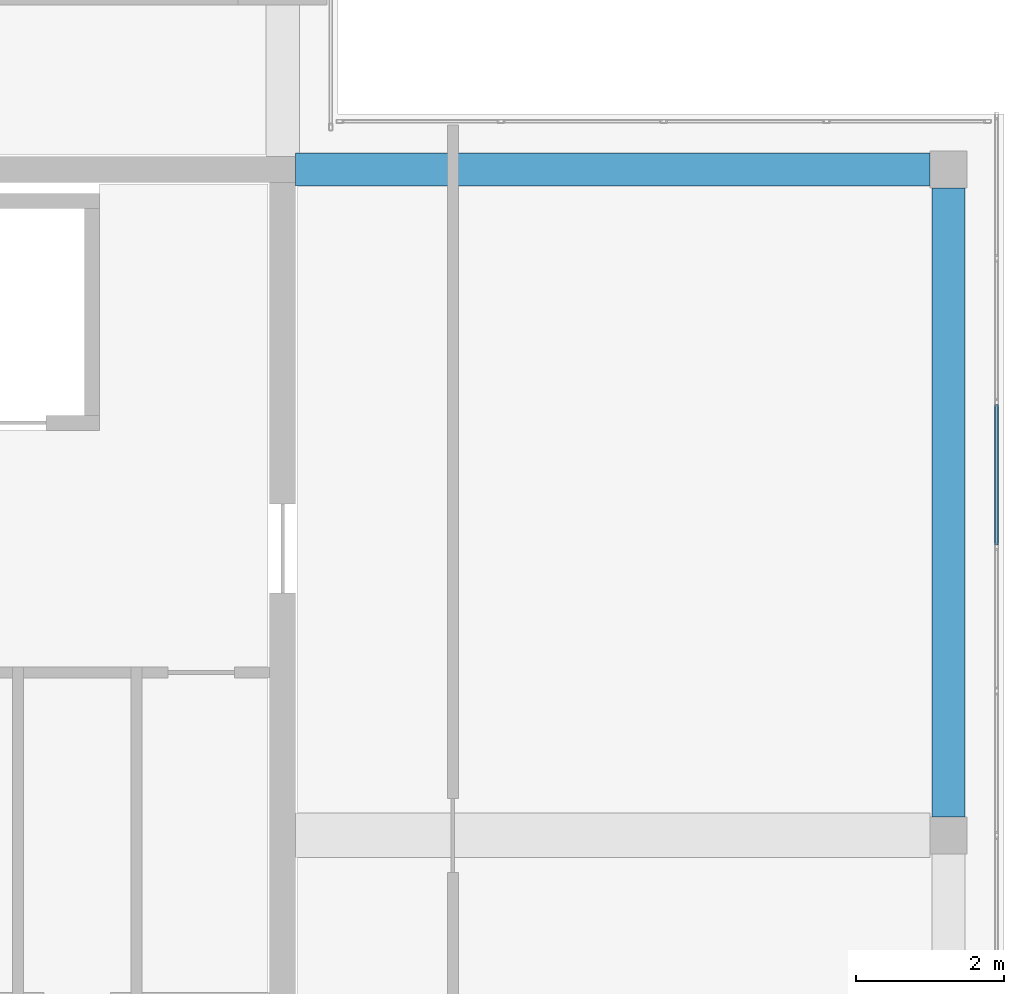
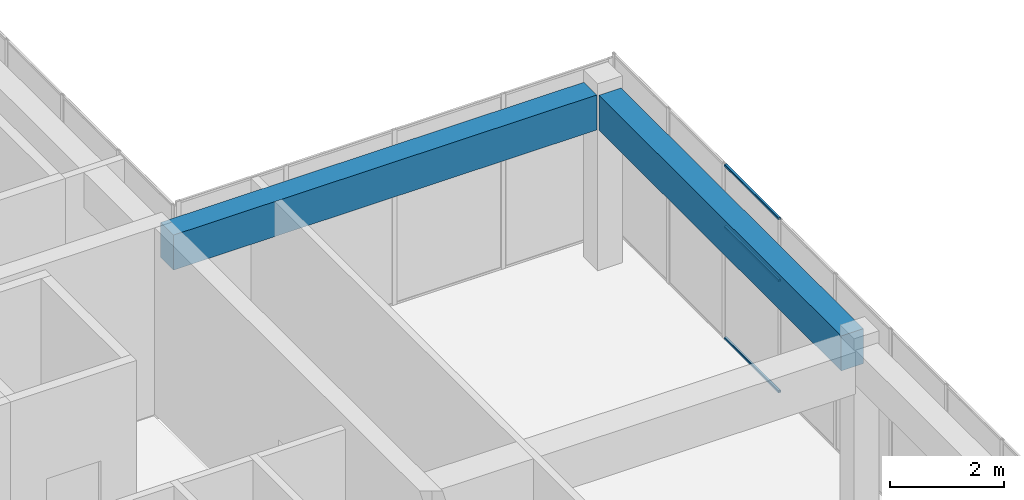
# One storey, part 17 of 34: 3 members, 2 beams, 1 element without a shape of its own.
"""IFC4 building model written with IfcOpenShell, lengths in metres."""

import ifcopenshell
import ifcopenshell.guid

model = None  # the IFC model being written
_history = None  # IfcOwnerHistory: only IFC2X3 demands one
_inside = {}  # id of a spatial element -> (the spatial element, [elements in it])
_under = {}  # id of a project, library or spatial element -> (it, [spatial elements below it])
_declared = {}  # id of a project -> (the project, [libraries it declares])
_typed = {}  # id of a type object -> (the type object, [elements of that type])
_made_of = {}  # id of a material, layer set ... -> (it, [elements and type objects made of it])


def new_model(schema):
    """Start an empty IFC model of exactly this schema.

    Asked for "IFC4X3", IfcOpenShell would pick the latest addendum, in which some entities
    have other attributes; the version numbers below select the first issue.
    IFC2X3 requires an IfcOwnerHistory on every rooted entity: one is made here for all.
    """
    global model, _history
    if schema == "IFC4X3":
        model = ifcopenshell.file(schema_version=(4, 3, 0, 0))
    else:
        model = ifcopenshell.file(schema=schema)
    _inside.clear()
    _under.clear()
    _declared.clear()
    _typed.clear()
    _made_of.clear()
    _history = None
    if model.schema == "IFC2X3":
        org = make("IfcOrganization", Name="unknown")
        user = make(
            "IfcPersonAndOrganization",
            ThePerson=make("IfcPerson", FamilyName="unknown"),
            TheOrganization=org,
        )
        app = make(
            "IfcApplication",
            ApplicationDeveloper=org,
            Version="unknown",
            ApplicationFullName="unknown",
            ApplicationIdentifier="unknown",
        )
        _history = make(
            "IfcOwnerHistory",
            OwningUser=user,
            OwningApplication=app,
            ChangeAction="ADDED",
            CreationDate=0,
        )
    return model


def make(cls, **values):
    """One entity of the class cls with the attributes given. An attribute that is None is left unset."""
    return model.create_entity(
        cls, **{name: value for name, value in values.items() if value is not None}
    )


def rooted(cls, **values):
    """An entity with a GlobalId (a new one), such as an element, a storey or a relation."""
    return make(cls, GlobalId=ifcopenshell.guid.new(), OwnerHistory=_history, **values)


def si_unit(unit_type, name, prefix=None):
    """IfcSIUnit, for example si_unit("LENGTHUNIT", "METRE", prefix="MILLI")."""
    return make("IfcSIUnit", UnitType=unit_type, Prefix=prefix, Name=name)


def assignment(units):
    """IfcUnitAssignment: the units of a project."""
    return None if units is None else make("IfcUnitAssignment", Units=units)


def point(xyz):
    """IfcCartesianPoint."""
    return None if xyz is None else make("IfcCartesianPoint", Coordinates=xyz)


def direction(xyz):
    """IfcDirection."""
    return None if xyz is None else make("IfcDirection", DirectionRatios=xyz)


def frame(location, z_axis=None, x_axis=None):
    """IfcAxis2Placement3D, a coordinate frame: its origin and axes. An axis left out is left unset."""
    return make(
        "IfcAxis2Placement3D",
        Location=point(location),
        Axis=direction(z_axis),
        RefDirection=direction(x_axis),
    )


def frame_2d(location, x_axis=None):
    """IfcAxis2Placement2D, a coordinate frame in the plane: its origin and x axis."""
    return make(
        "IfcAxis2Placement2D", Location=point(location), RefDirection=direction(x_axis)
    )


def origin():
    """The frame at (0, 0, 0) with its axes left unset."""
    return frame((0.0, 0.0, 0.0))


def origin_2d():
    """The frame at (0, 0) in the plane with its x axis left unset."""
    return frame_2d((0.0, 0.0))


def place(relative_to, where):
    """IfcLocalPlacement: puts the frame where relative to a parent placement (None: the world)."""
    return make(
        "IfcLocalPlacement", PlacementRelTo=relative_to, RelativePlacement=where
    )


def context(
    kind, dimensions, precision=None, world=None, true_north=None, identifier=None
):
    """IfcGeometricRepresentationContext, for example the 3D "Model" context."""
    return make(
        "IfcGeometricRepresentationContext",
        ContextIdentifier=identifier,
        ContextType=kind,
        CoordinateSpaceDimension=dimensions,
        Precision=precision,
        WorldCoordinateSystem=world,
        TrueNorth=true_north,
    )


def subcontext(parent, identifier, kind, view, scale=None):
    """IfcGeometricRepresentationSubContext, for example "Body" below "Model"."""
    return make(
        "IfcGeometricRepresentationSubContext",
        ContextIdentifier=identifier,
        ContextType=kind,
        ParentContext=parent,
        TargetScale=scale,
        TargetView=view,
    )


def project(units=None, contexts=None):
    """IfcProject with its units and contexts."""
    return rooted(
        "IfcProject",
        Name="project",
        RepresentationContexts=contexts,
        UnitsInContext=assignment(units),
    )


def spatial(cls, under=None, at=None, **own):
    """A site, building, storey or space (cls), placed at a placement, below another one or the project."""
    s = rooted(cls, ObjectPlacement=at, **own)
    if under is not None:
        _under.setdefault(under.id(), (under, []))[1].append(s)
    return s


def profile(cls, at=None, kind="AREA", **sizes):
    """A parametric profile (cls). Its sizes go by their IFC names, for example OverallWidth=200.0."""
    return make(cls, ProfileType=kind, Position=at, **sizes)


def rectangle(**sizes):
    """IfcRectangleProfileDef."""
    return profile("IfcRectangleProfileDef", **sizes)


def hollow_rectangle(**sizes):
    """IfcRectangleHollowProfileDef."""
    return profile("IfcRectangleHollowProfileDef", **sizes)


def extrude(swept, where, along, depth):
    """IfcExtrudedAreaSolid: the profile swept, set in the frame where, extruded along a direction by depth."""
    return make(
        "IfcExtrudedAreaSolid",
        SweptArea=swept,
        Position=where,
        ExtrudedDirection=direction(along),
        Depth=depth,
    )


def shape(context_of_items, identifier, shape_type, items):
    """IfcShapeRepresentation: the items that make up one representation, for example the "Body"."""
    return make(
        "IfcShapeRepresentation",
        ContextOfItems=context_of_items,
        RepresentationIdentifier=identifier,
        RepresentationType=shape_type,
        Items=items,
    )


def material(Name=None, Category=None):
    """IfcMaterial."""
    return make("IfcMaterial", Name=Name, Category=Category)


def layer(
    of_material, thickness, ventilated=None, Name=None, Category=None, Priority=None
):
    """IfcMaterialLayer: one layer of a wall or slab, of a material (None: an air gap)."""
    return make(
        "IfcMaterialLayer",
        Material=of_material,
        LayerThickness=thickness,
        IsVentilated=ventilated,
        Name=Name,
        Category=Category,
        Priority=Priority,
    )


def layer_set(layers, Name=None):
    """IfcMaterialLayerSet."""
    return make("IfcMaterialLayerSet", MaterialLayers=layers, LayerSetName=Name)


def material_profile(
    of_material, cross_section, Name=None, Category=None, Priority=None
):
    """IfcMaterialProfile: a cross section and its material."""
    return make(
        "IfcMaterialProfile",
        Name=Name,
        Material=of_material,
        Profile=cross_section,
        Priority=Priority,
        Category=Category,
    )


def profile_set(profiles, Name=None, composite=None):
    """IfcMaterialProfileSet."""
    return make(
        "IfcMaterialProfileSet",
        Name=Name,
        MaterialProfiles=profiles,
        CompositeProfile=composite,
    )


def made_of(thing, what):
    """Note that an element or type object is made of a material, layer set ...; save() writes the relation."""
    if what is not None:
        _made_of.setdefault(what.id(), (what, []))[1].append(thing)
    return thing


def type_object(cls, material=None, **own):
    """A type object (cls), such as IfcWallType, which elements share."""
    return made_of(rooted(cls, **own), material)


def element(
    cls,
    number,
    at=None,
    inside=None,
    cuts=None,
    type_object=None,
    material=None,
    context=None,
    identifier="Body",
    shape_type=None,
    held_by="IfcProductDefinitionShape",
    body=None,
    shapes=None,
    **own,
):
    """One element of the class cls, such as IfcWall. Its Tag is "e" and its number.

    at: its placement. inside: the storey or other place that contains it. cuts: it is an
    opening in that element (IfcRelVoidsElement). A single representation is given by context,
    identifier, shape_type and body (its items); several are given by shapes. held_by: the class
    of the entity that holds the representations. save() writes the other relations.
    """
    e = rooted(cls, Tag="e%d" % number, ObjectPlacement=at, **own)
    if body is not None:
        shapes = [shape(context, identifier, shape_type, body)]
    if shapes is not None:
        e.Representation = make(held_by, Representations=shapes)
    if inside is not None:
        _inside.setdefault(inside.id(), (inside, []))[1].append(e)
    if cuts is not None:
        rooted(
            "IfcRelVoidsElement", RelatingBuildingElement=cuts, RelatedOpeningElement=e
        )
    if type_object is not None:
        _typed.setdefault(type_object.id(), (type_object, []))[1].append(e)
    return made_of(e, material)


def aggregate(whole, parts):
    """IfcRelAggregates: a whole, such as a stair, and the parts it consists of."""
    return rooted("IfcRelAggregates", RelatingObject=whole, RelatedObjects=parts)


def save(model, path):
    """Write the relations noted so far, then the file.

    IfcRelAggregates (storeys below a building ...), IfcRelContainedInSpatialStructure (elements
    in a storey), IfcRelDefinesByType, IfcRelAssociatesMaterial and IfcRelDeclares: one each for
    every whole, place, type object, material and project.
    """
    for whole, parts in _under.values():
        aggregate(whole, parts)
    for where, things in _inside.values():
        rooted(
            "IfcRelContainedInSpatialStructure",
            RelatedElements=things,
            RelatingStructure=where,
        )
    for kind, things in _typed.values():
        rooted("IfcRelDefinesByType", RelatedObjects=things, RelatingType=kind)
    for what, things in _made_of.values():
        rooted("IfcRelAssociatesMaterial", RelatedObjects=things, RelatingMaterial=what)
    for by, libraries in _declared.values():
        rooted("IfcRelDeclares", RelatingContext=by, RelatedDefinitions=libraries)
    model.write(path)


model = new_model("IFC4")

# Units and contexts
model_context = context("Model", 3, precision=1e-05, world=origin(), true_north=direction((0.0, 1.0)))
body_context = subcontext(model_context, "Body", "Model", "MODEL_VIEW")
ifc_project = project(units=[si_unit("LENGTHUNIT", "METRE"), si_unit("AREAUNIT", "SQUARE_METRE"), si_unit("VOLUMEUNIT", "CUBIC_METRE"), si_unit("PLANEANGLEUNIT", "RADIAN"), si_unit("MASSUNIT", "GRAM", prefix="KILO")], contexts=[model_context])

# Site, building, storey
site_placement = place(None, origin())
site = spatial("IfcSite", under=ifc_project, at=site_placement, CompositionType="ELEMENT")
building_placement = place(site_placement, origin())
building = spatial("IfcBuilding", under=site, at=building_placement, Name="Tuart Plaza Theatre", CompositionType="ELEMENT")
storey_placement = place(building_placement, frame((0.0, 0.0, 53.5)))
storey = spatial("IfcBuildingStorey", under=building, at=storey_placement, Name="L13", CompositionType="ELEMENT", Elevation=53.5)

# Beams
ifc_material_1 = material(Name="Concrete N40 (40 MPa)", Category="concrete")
ifc_material_profile_1 = material_profile(ifc_material_1, rectangle(XDim=0.449951171875, YDim=0.75, at=origin_2d()), Name="BEAM 450x750 Concrete N40 (40 MPa)")
ifc_profile_set_1 = profile_set([ifc_material_profile_1], Name="Concrete N40 (40 MPa)")
beam_type = type_object("IfcBeamType", Name="BEAM 450x750 Concrete N40 (40 MPa)", PredefinedType="BEAM", material=ifc_profile_set_1)
beam_1_placement = place(storey_placement, frame((141.175048828125, 83.0, 3.375), z_axis=(1.0, 0.0, 0.0), x_axis=(0.0, 1.0, 0.0)))
element("IfcBeam", 1, at=beam_1_placement, inside=storey, type_object=beam_type, Name="RB344", PredefinedType="BEAM", context=body_context, shape_type="SweptSolid", body=[
    extrude(rectangle(XDim=0.449951171875, YDim=0.75, at=origin_2d()), origin(), (0.0, 0.0, 1.0), 8.574951171875),
])
beam_2_placement = place(storey_placement, frame((150.0, 74.25, 3.375), z_axis=(0.0, 1.0, 0.0), x_axis=(-1.0, 0.0, 0.0)))
element("IfcBeam", 2, at=beam_2_placement, inside=storey, type_object=beam_type, Name="RB346", PredefinedType="BEAM", context=body_context, shape_type="SweptSolid", body=[
    extrude(rectangle(XDim=0.449951171875, YDim=0.75, at=origin_2d()), origin(), (0.0, 0.0, 1.0), 8.5),
])

# Curtain wall, members
ifc_material_2 = material(Name="Aluminium and glass", Category="aluminium")
ifc_layer = layer(ifc_material_2, 0.10009765625)
ifc_layer_set = layer_set([ifc_layer], Name="CURTAIN WALL 2000 module")
curtain_wall_type = type_object("IfcCurtainWallType", Name="CURTAIN WALL 2000 module", PredefinedType="NOTDEFINED", material=ifc_layer_set)
curtain_wall_placement = place(storey_placement, origin())
curtain_wall = element("IfcCurtainWall", 3, at=curtain_wall_placement, inside=storey, type_object=curtain_wall_type, Name="CW114", PredefinedType="NOTDEFINED")
ifc_material_3 = material(Name="Aluminium 6063-T5", Category="aluminium")
ifc_material_profile_2 = material_profile(ifc_material_3, hollow_rectangle(XDim=0.050048828125, YDim=0.050048828125, WallThickness=0.00390625, InnerFilletRadius=0.00390625, OuterFilletRadius=0.008056640625, at=origin_2d()), Name="RHS 50x50x4")
ifc_profile_set_2 = profile_set([ifc_material_profile_2], Name="Aluminium 6063-T5")
member_type = type_object("IfcMemberType", Name="TRANSOM RHS 50x50x4", PredefinedType="USERDEFINED", material=ifc_profile_set_2)
member_1_placement = place(storey_placement, frame((150.64990234375, 77.925048828125, 0.02490234375), z_axis=(0.0, 1.0, 0.0), x_axis=(-1.0, 0.0, 0.0)))
member_1 = element("IfcMember", 4, at=member_1_placement, type_object=member_type, Name="CW114 transom 8.1", ObjectType="TRANSOM", PredefinedType="USERDEFINED", context=body_context, shape_type="SweptSolid", body=[
    extrude(hollow_rectangle(XDim=0.050048828125, YDim=0.050048828125, WallThickness=0.00390625, InnerFilletRadius=0.00390625, OuterFilletRadius=0.008056640625, at=origin_2d()), origin(), (0.0, 0.0, 1.0), 1.89990234375),
])
member_2_placement = place(storey_placement, frame((150.64990234375, 77.925048828125, 2.39990234375), z_axis=(0.0, 1.0, 0.0), x_axis=(-1.0, 0.0, 0.0)))
member_2 = element("IfcMember", 5, at=member_2_placement, type_object=member_type, Name="CW114 transom 8.2", ObjectType="TRANSOM", PredefinedType="USERDEFINED", context=body_context, shape_type="SweptSolid", body=[
    extrude(hollow_rectangle(XDim=0.050048828125, YDim=0.050048828125, WallThickness=0.00390625, InnerFilletRadius=0.00390625, OuterFilletRadius=0.008056640625, at=origin_2d()), origin(), (0.0, 0.0, 1.0), 1.89990234375),
])
member_3_placement = place(storey_placement, frame((150.64990234375, 77.925048828125, 3.72509765625), z_axis=(0.0, 1.0, 0.0), x_axis=(-1.0, 0.0, 0.0)))
member_3 = element("IfcMember", 6, at=member_3_placement, type_object=member_type, Name="CW114 transom 8.3", ObjectType="TRANSOM", PredefinedType="USERDEFINED", context=body_context, shape_type="SweptSolid", body=[
    extrude(hollow_rectangle(XDim=0.050048828125, YDim=0.050048828125, WallThickness=0.00390625, InnerFilletRadius=0.00390625, OuterFilletRadius=0.008056640625, at=origin_2d()), origin(), (0.0, 0.0, 1.0), 1.89990234375),
])
aggregate(curtain_wall, [member_1, member_2, member_3])

save(model, "model.ifc")
